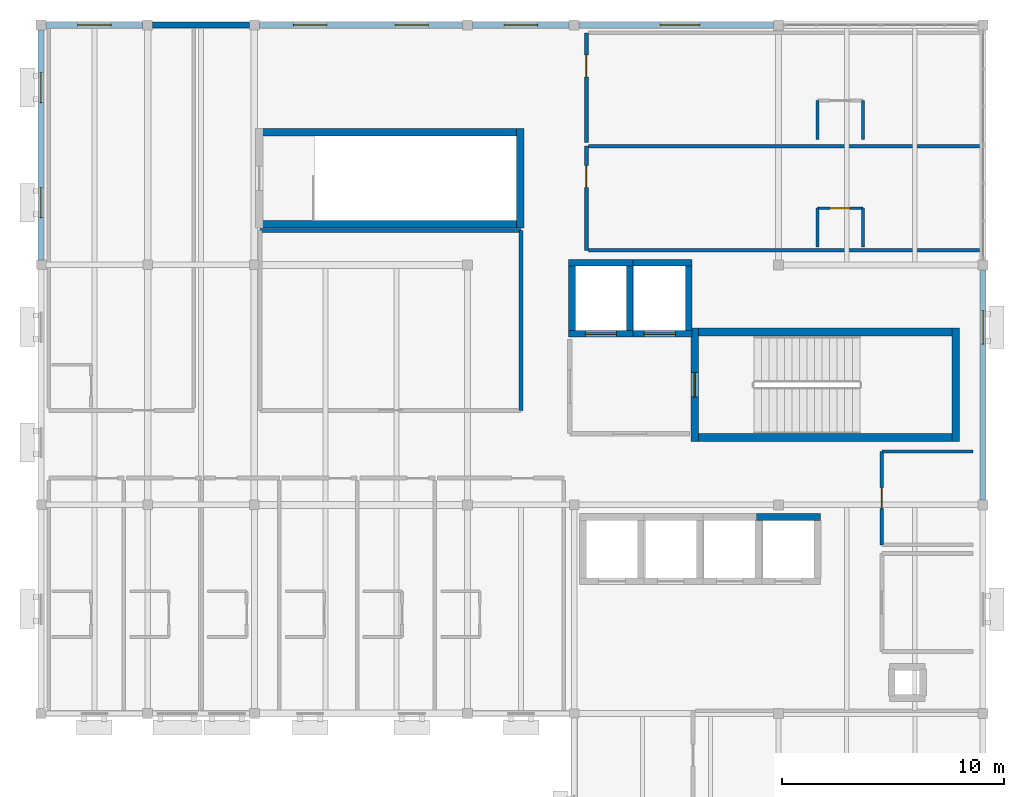
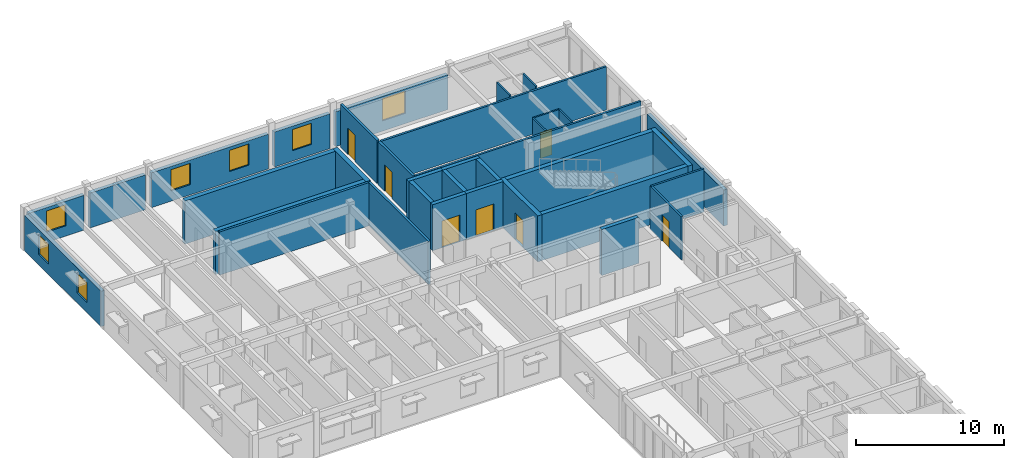
# One storey, part 11 of 17: 35 walls, 8 windows, 7 doors, 15 openings.
"""IFC4 building model written with IfcOpenShell, lengths in metres."""

from ifc_helpers import new_model, si_unit, direction, frame, frame_2d, origin, place, context, subcontext, project, spatial, rectangle, extrude, material, layer, layer_set, type_object, element, fill, save


model = new_model("IFC4")

# Units and contexts
model_context = context("Model", 3, precision=1e-05, world=origin(), true_north=direction((0.0, 1.0)))
body_context = subcontext(model_context, "Body", "Model", "MODEL_VIEW")
ifc_project = project(units=[si_unit("LENGTHUNIT", "METRE"), si_unit("AREAUNIT", "SQUARE_METRE"), si_unit("VOLUMEUNIT", "CUBIC_METRE"), si_unit("PLANEANGLEUNIT", "RADIAN"), si_unit("MASSUNIT", "GRAM", prefix="KILO")], contexts=[model_context])

# Site, building, storey
site_placement = place(None, origin())
site = spatial("IfcSite", under=ifc_project, at=site_placement, CompositionType="ELEMENT")
building_placement = place(site_placement, origin())
building = spatial("IfcBuilding", under=site, at=building_placement, Name="Veldera Park Congress Hotel", CompositionType="ELEMENT")
storey_placement = place(building_placement, frame((0.0, 0.0, 35.199951171875)))
storey = spatial("IfcBuildingStorey", under=building, at=storey_placement, Name="L08", CompositionType="ELEMENT", Elevation=35.199951171875)

# Wall, opening, window
ifc_material_1 = material(Name="Cross-laminated timber CLT V2M1.1", Category="wood")
ifc_layer_1 = layer(ifc_material_1, 0.280029296875)
ifc_layer_set_1 = layer_set([ifc_layer_1], Name="Cross-laminated timber CLT V2M1.1")
wall_type_1 = type_object("IfcWallType", Name="EW-CLT280", PredefinedType="STANDARD", material=ifc_layer_set_1)
wall_1_placement = place(storey_placement, frame((84.0, 36.623046875, 0.0), z_axis=(0.0, 0.0, 1.0), x_axis=(0.0, 1.0, 0.0)))
wall_1 = element("IfcWall", 1, at=wall_1_placement, inside=storey, type_object=wall_type_1, Name="L08 Exterior Wall EW3-L08-0379", PredefinedType="STANDARD", context=body_context, shape_type="SweptSolid", body=[
    extrude(rectangle(XDim=10.35400390625, YDim=0.280029296875, at=frame_2d((5.177001953125, 0.0))), origin(), (0.0, 0.0, 1.0), 2.97998046875),
])
opening_1_placement = place(wall_1_placement, frame((7.015380859375, 0.0, 0.85009765625)))
opening_1 = element("IfcOpeningElement", 2, at=opening_1_placement, cuts=wall_1, Name="Opening WIN-1500", PredefinedType="OPENING", context=body_context, shape_type="SweptSolid", body=[
    extrude(rectangle(XDim=1.5, YDim=1.75, at=frame_2d((0.75, 0.875))), frame((0.0, 0.152099609375, 0.0), z_axis=(0.0, -1.0, 0.0), x_axis=(1.0, 0.0, 0.0)), (0.0, 0.0, 1.0), 0.303955078125),
])
ifc_material_2 = material(Name="Low-E Triple Insulating Glass Unit (SHGC 0.22)", Category="glass")
window_type_1 = type_object("IfcWindowType", Name="WIN-1500", PartitioningType="SINGLE_PANEL", PredefinedType="WINDOW", material=ifc_material_2)
window_1_placement = place(opening_1_placement, origin())
window_1 = element("IfcWindow", 3, at=window_1_placement, inside=storey, type_object=window_type_1, Name="L08 Window WIN-1500 289", OverallHeight=1.75, OverallWidth=1.5, PartitioningType="SINGLE_PANEL", PredefinedType="WINDOW", context=body_context, shape_type="SweptSolid", body=[
    extrude(rectangle(XDim=1.5, YDim=1.75, at=frame_2d((0.75, 0.875))), frame((0.0, 0.030029296875, 0.0), z_axis=(0.0, -1.0, 0.0), x_axis=(1.0, 0.0, 0.0)), (0.0, 0.0, 1.0), 0.06005859375),
])
fill(opening_1, window_1)

wall_2_placement = place(storey_placement, frame((74.576904296875, 58.0, 0.0), z_axis=(0.0, 0.0, 1.0), x_axis=(-1.0, 0.0, 0.0)))
wall_2 = element("IfcWall", 4, at=wall_2_placement, inside=storey, type_object=wall_type_1, Name="L08 Exterior Wall EW3-L08-0380", PredefinedType="STANDARD", context=body_context, shape_type="SweptSolid", body=[
    extrude(rectangle(XDim=8.75390625, YDim=0.280029296875, at=frame_2d((4.376953125, 0.0))), origin(), (0.0, 0.0, 1.0), 2.880126953125),
])
opening_2_placement = place(wall_2_placement, frame((3.3134765625, 0.0, 0.85009765625)))
opening_2 = element("IfcOpeningElement", 5, at=opening_2_placement, cuts=wall_2, Name="Opening WIN-1800", PredefinedType="OPENING", context=body_context, shape_type="SweptSolid", body=[
    extrude(rectangle(XDim=1.800048828125, YDim=1.85009765625, at=frame_2d((0.89990234375, 0.925048828125))), frame((0.0, 0.152099609375, 0.0), z_axis=(0.0, -1.0, 0.0), x_axis=(1.0, 0.0, 0.0)), (0.0, 0.0, 1.0), 0.303955078125),
])
window_type_2 = type_object("IfcWindowType", Name="WIN-1800", PartitioningType="SINGLE_PANEL", PredefinedType="WINDOW", material=ifc_material_2)
window_2_placement = place(opening_2_placement, origin())
window_2 = element("IfcWindow", 6, at=window_2_placement, inside=storey, type_object=window_type_2, Name="L08 Window WIN-1800 562", OverallHeight=1.85009765625, OverallWidth=1.800048828125, PartitioningType="SINGLE_PANEL", PredefinedType="WINDOW", context=body_context, shape_type="SweptSolid", body=[
    extrude(rectangle(XDim=1.800048828125, YDim=1.85009765625, at=frame_2d((0.89990234375, 0.925048828125))), frame((0.0, 0.030029296875, 0.0), z_axis=(0.0, -1.0, 0.0), x_axis=(1.0, 0.0, 0.0)), (0.0, 0.0, 1.0), 0.06005859375),
])
fill(opening_2, window_2)

wall_3_placement = place(storey_placement, frame((65.376953125, 58.0, 0.0), z_axis=(0.0, 0.0, 1.0), x_axis=(-1.0, 0.0, 0.0)))
wall_3 = element("IfcWall", 7, at=wall_3_placement, inside=storey, type_object=wall_type_1, Name="L08 Exterior Wall EW3-L08-0381", PredefinedType="STANDARD", context=body_context, shape_type="SweptSolid", body=[
    extrude(rectangle(XDim=4.35400390625, YDim=0.280029296875, at=frame_2d((2.177001953125, 0.0))), origin(), (0.0, 0.0, 1.0), 2.880126953125),
])
opening_3_placement = place(wall_3_placement, frame((1.427001953125, 0.0, 0.85009765625)))
opening_3 = element("IfcOpeningElement", 8, at=opening_3_placement, cuts=wall_3, Name="Opening WIN-1500", PredefinedType="OPENING", context=body_context, shape_type="SweptSolid", body=[
    extrude(rectangle(XDim=1.5, YDim=1.75, at=frame_2d((0.75, 0.875))), frame((0.0, 0.152099609375, 0.0), z_axis=(0.0, -1.0, 0.0), x_axis=(1.0, 0.0, 0.0)), (0.0, 0.0, 1.0), 0.303955078125),
])
window_3_placement = place(opening_3_placement, origin())
window_3 = element("IfcWindow", 9, at=window_3_placement, inside=storey, type_object=window_type_1, Name="L08 Window WIN-1500 290", OverallHeight=1.75, OverallWidth=1.5, PartitioningType="SINGLE_PANEL", PredefinedType="WINDOW", context=body_context, shape_type="SweptSolid", body=[
    extrude(rectangle(XDim=1.5, YDim=1.75, at=frame_2d((0.75, 0.875))), frame((0.0, 0.030029296875, 0.0), z_axis=(0.0, -1.0, 0.0), x_axis=(1.0, 0.0, 0.0)), (0.0, 0.0, 1.0), 0.06005859375),
])
fill(opening_3, window_3)

# Wall, openings, windows
wall_4_placement = place(storey_placement, frame((60.576904296875, 58.0, 0.0), z_axis=(0.0, 0.0, 1.0), x_axis=(-1.0, 0.0, 0.0)))
wall_4 = element("IfcWall", 10, at=wall_4_placement, inside=storey, type_object=wall_type_1, Name="L08 Exterior Wall EW3-L08-0382", PredefinedType="STANDARD", context=body_context, shape_type="SweptSolid", body=[
    extrude(rectangle(XDim=9.15380859375, YDim=0.280029296875, at=frame_2d((4.576904296875, 0.0))), origin(), (0.0, 0.0, 1.0), 2.880126953125),
])
opening_4_placement = place(wall_4_placement, frame((1.53857421875, 0.0, 0.85009765625)))
opening_4 = element("IfcOpeningElement", 11, at=opening_4_placement, cuts=wall_4, Name="Opening WIN-1500", PredefinedType="OPENING", context=body_context, shape_type="SweptSolid", body=[
    extrude(rectangle(XDim=1.5, YDim=1.75, at=frame_2d((0.75, 0.875))), frame((0.0, 0.152099609375, 0.0), z_axis=(0.0, -1.0, 0.0), x_axis=(1.0, 0.0, 0.0)), (0.0, 0.0, 1.0), 0.303955078125),
])
opening_5_placement = place(wall_4_placement, frame((6.115478515625, 0.0, 0.85009765625)))
opening_5 = element("IfcOpeningElement", 12, at=opening_5_placement, cuts=wall_4, Name="Opening WIN-1500", PredefinedType="OPENING", context=body_context, shape_type="SweptSolid", body=[
    extrude(rectangle(XDim=1.5, YDim=1.75, at=frame_2d((0.75, 0.875))), frame((0.0, 0.152099609375, 0.0), z_axis=(0.0, -1.0, 0.0), x_axis=(1.0, 0.0, 0.0)), (0.0, 0.0, 1.0), 0.303955078125),
])
window_4_placement = place(opening_4_placement, origin())
window_4 = element("IfcWindow", 13, at=window_4_placement, inside=storey, type_object=window_type_1, Name="L08 Window WIN-1500 291", OverallHeight=1.75, OverallWidth=1.5, PartitioningType="SINGLE_PANEL", PredefinedType="WINDOW", context=body_context, shape_type="SweptSolid", body=[
    extrude(rectangle(XDim=1.5, YDim=1.75, at=frame_2d((0.75, 0.875))), frame((0.0, 0.030029296875, 0.0), z_axis=(0.0, -1.0, 0.0), x_axis=(1.0, 0.0, 0.0)), (0.0, 0.0, 1.0), 0.06005859375),
])
fill(opening_4, window_4)
window_5_placement = place(opening_5_placement, origin())
window_5 = element("IfcWindow", 14, at=window_5_placement, inside=storey, type_object=window_type_1, Name="L08 Window WIN-1500 292", OverallHeight=1.75, OverallWidth=1.5, PartitioningType="SINGLE_PANEL", PredefinedType="WINDOW", context=body_context, shape_type="SweptSolid", body=[
    extrude(rectangle(XDim=1.5, YDim=1.75, at=frame_2d((0.75, 0.875))), frame((0.0, 0.030029296875, 0.0), z_axis=(0.0, -1.0, 0.0), x_axis=(1.0, 0.0, 0.0)), (0.0, 0.0, 1.0), 0.06005859375),
])
fill(opening_5, window_5)

# Wall
wall_5_placement = place(storey_placement, frame((50.97705078125, 58.0, 0.0), z_axis=(0.0, 0.0, 1.0), x_axis=(-1.0, 0.0, 0.0)))
element("IfcWall", 15, at=wall_5_placement, inside=storey, type_object=wall_type_1, Name="L08 Exterior Wall EW3-L08-0383", PredefinedType="STANDARD", context=body_context, shape_type="SweptSolid", body=[
    extrude(rectangle(XDim=4.35400390625, YDim=0.280029296875, at=frame_2d((2.177001953125, 0.0))), origin(), (0.0, 0.0, 1.0), 2.880126953125),
])

# Wall, opening, window
wall_6_placement = place(storey_placement, frame((46.177001953125, 58.0, 0.0), z_axis=(0.0, 0.0, 1.0), x_axis=(-1.0, 0.0, 0.0)))
wall_6 = element("IfcWall", 16, at=wall_6_placement, inside=storey, type_object=wall_type_1, Name="L08 Exterior Wall EW3-L08-0384", PredefinedType="STANDARD", context=body_context, shape_type="SweptSolid", body=[
    extrude(rectangle(XDim=4.35400390625, YDim=0.280029296875, at=frame_2d((2.177001953125, 0.0))), origin(), (0.0, 0.0, 1.0), 2.880126953125),
])
opening_6_placement = place(wall_6_placement, frame((1.427001953125, 0.0, 0.85009765625)))
opening_6 = element("IfcOpeningElement", 17, at=opening_6_placement, cuts=wall_6, Name="Opening WIN-1500", PredefinedType="OPENING", context=body_context, shape_type="SweptSolid", body=[
    extrude(rectangle(XDim=1.5, YDim=1.75, at=frame_2d((0.75, 0.875))), frame((0.0, 0.152099609375, 0.0), z_axis=(0.0, -1.0, 0.0), x_axis=(1.0, 0.0, 0.0)), (0.0, 0.0, 1.0), 0.303955078125),
])
window_6_placement = place(opening_6_placement, origin())
window_6 = element("IfcWindow", 18, at=window_6_placement, inside=storey, type_object=window_type_1, Name="L08 Window WIN-1500 293", OverallHeight=1.75, OverallWidth=1.5, PartitioningType="SINGLE_PANEL", PredefinedType="WINDOW", context=body_context, shape_type="SweptSolid", body=[
    extrude(rectangle(XDim=1.5, YDim=1.75, at=frame_2d((0.75, 0.875))), frame((0.0, 0.030029296875, 0.0), z_axis=(0.0, -1.0, 0.0), x_axis=(1.0, 0.0, 0.0)), (0.0, 0.0, 1.0), 0.06005859375),
])
fill(opening_6, window_6)

# Wall, openings, windows
wall_7_placement = place(storey_placement, frame((41.60009765625, 57.777099609375, 0.0), z_axis=(0.0, 0.0, 1.0), x_axis=(0.0, -1.0, 0.0)))
wall_7 = element("IfcWall", 19, at=wall_7_placement, inside=storey, type_object=wall_type_1, Name="L08 Exterior Wall EW3-L08-0385", PredefinedType="STANDARD", context=body_context, shape_type="SweptSolid", body=[
    extrude(rectangle(XDim=10.369140625, YDim=0.280029296875, at=frame_2d((5.1845703125, 0.0))), origin(), (0.0, 0.0, 1.0), 2.920166015625),
])
opening_7_placement = place(wall_7_placement, frame((1.917236328125, 0.0, 0.85009765625)))
opening_7 = element("IfcOpeningElement", 20, at=opening_7_placement, cuts=wall_7, Name="Opening WIN-1350", PredefinedType="OPENING", context=body_context, shape_type="SweptSolid", body=[
    extrude(rectangle(XDim=1.35009765625, YDim=1.64990234375, at=frame_2d((0.675048828125, 0.824951171875))), frame((0.0, 0.152099609375, 0.0), z_axis=(0.0, -1.0, 0.0), x_axis=(1.0, 0.0, 0.0)), (0.0, 0.0, 1.0), 0.303955078125),
])
opening_8_placement = place(wall_7_placement, frame((7.101806640625, 0.0, 0.85009765625)))
opening_8 = element("IfcOpeningElement", 21, at=opening_8_placement, cuts=wall_7, Name="Opening WIN-1350", PredefinedType="OPENING", context=body_context, shape_type="SweptSolid", body=[
    extrude(rectangle(XDim=1.35009765625, YDim=1.64990234375, at=frame_2d((0.675048828125, 0.824951171875))), frame((0.0, 0.152099609375, 0.0), z_axis=(0.0, -1.0, 0.0), x_axis=(1.0, 0.0, 0.0)), (0.0, 0.0, 1.0), 0.303955078125),
])
window_type_3 = type_object("IfcWindowType", Name="WIN-1350", PartitioningType="SINGLE_PANEL", PredefinedType="WINDOW", material=ifc_material_2)
window_7_placement = place(opening_7_placement, origin())
window_7 = element("IfcWindow", 22, at=window_7_placement, inside=storey, type_object=window_type_3, Name="L08 Window WIN-1350 294", OverallHeight=1.64990234375, OverallWidth=1.35009765625, PartitioningType="SINGLE_PANEL", PredefinedType="WINDOW", context=body_context, shape_type="SweptSolid", body=[
    extrude(rectangle(XDim=1.35009765625, YDim=1.64990234375, at=frame_2d((0.675048828125, 0.824951171875))), frame((0.0, 0.030029296875, 0.0), z_axis=(0.0, -1.0, 0.0), x_axis=(1.0, 0.0, 0.0)), (0.0, 0.0, 1.0), 0.06005859375),
])
fill(opening_7, window_7)
window_8_placement = place(opening_8_placement, origin())
window_8 = element("IfcWindow", 23, at=window_8_placement, inside=storey, type_object=window_type_3, Name="L08 Window WIN-1350 295", OverallHeight=1.64990234375, OverallWidth=1.35009765625, PartitioningType="SINGLE_PANEL", PredefinedType="WINDOW", context=body_context, shape_type="SweptSolid", body=[
    extrude(rectangle(XDim=1.35009765625, YDim=1.64990234375, at=frame_2d((0.675048828125, 0.824951171875))), frame((0.0, 0.030029296875, 0.0), z_axis=(0.0, -1.0, 0.0), x_axis=(1.0, 0.0, 0.0)), (0.0, 0.0, 1.0), 0.06005859375),
])
fill(opening_8, window_8)

# Walls
ifc_material_3 = material(Name="Fire-Rated Gypsum Board on Cold-Formed Steel Studs", Category="steel")
ifc_layer_2 = layer(ifc_material_3, 0.1201171875)
ifc_layer_set_2 = layer_set([ifc_layer_2], Name="Fire-Rated Gypsum Board on Cold-Formed Steel Studs")
wall_type_2 = type_object("IfcWallType", Name="IW-BATH120", PredefinedType="PARTITIONING", material=ifc_layer_set_2)
for number, where, z_axis, x_axis, name in (
    (24, (76.550048828125, 48.0, 0.0), (0.0, 0.0, 1.0), (0.0, 1.0, 0.0), "L08 Partition Wall IW3-L08-01569"),
    (25, (78.60009765625, 48.0, 0.0), (0.0, 0.0, 1.0), (0.0, 1.0, 0.0), "L08 Partition Wall IW3-L08-01570"),
):
    element("IfcWall", number, at=place(storey_placement, frame(where, z_axis=z_axis, x_axis=x_axis)), inside=storey, type_object=wall_type_2, Name=name, PredefinedType="PARTITIONING", context=body_context, shape_type="SweptSolid", body=[
        extrude(rectangle(XDim=1.75, YDim=0.1201171875, at=frame_2d((0.875, 0.0))), origin(), (0.0, 0.0, 1.0), 3.56494140625),
    ])

# Wall, opening, door
wall_8_placement = place(storey_placement, frame((76.550048828125, 49.75, 0.0), z_axis=(0.0, 0.0, 1.0), x_axis=(1.0, 0.0, 0.0)))
wall_8 = element("IfcWall", 26, at=wall_8_placement, inside=storey, type_object=wall_type_2, Name="L08 Partition Wall IW3-L08-01571", PredefinedType="PARTITIONING", context=body_context, shape_type="SweptSolid", body=[
    extrude(rectangle(XDim=2.050048828125, YDim=0.1201171875, at=frame_2d((1.02490234375, 0.0))), origin(), (0.0, 0.0, 1.0), 3.56494140625),
])
opening_9_placement = place(wall_8_placement, frame((0.574951171875, 0.0, 0.0)))
opening_9 = element("IfcOpeningElement", 27, at=opening_9_placement, cuts=wall_8, Name="Opening ID-BATH090", PredefinedType="OPENING", context=body_context, shape_type="SweptSolid", body=[
    extrude(rectangle(XDim=0.89990234375, YDim=2.14990234375, at=frame_2d((0.449951171875, 1.074951171875))), frame((0.0, 0.072021484375, 0.0), z_axis=(0.0, -1.0, 0.0), x_axis=(1.0, 0.0, 0.0)), (0.0, 0.0, 1.0), 0.14404296875),
])
ifc_material_4 = material(Name="Solid Core White Oak Architectural Door", Category="wood")
door_type_1 = type_object("IfcDoorType", Name="ID-BATH090", OperationType="NOTDEFINED", PredefinedType="DOOR", material=ifc_material_4)
door_1_placement = place(opening_9_placement, origin())
door_1 = element("IfcDoor", 28, at=door_1_placement, inside=storey, type_object=door_type_1, Name="L08 En-suite 254 Door ID3-L08-0647 (DR3-ID3-L08-0647)", OperationType="SINGLE_SWING_LEFT", OverallHeight=2.14990234375, OverallWidth=0.89990234375, PredefinedType="DOOR", context=body_context, shape_type="SweptSolid", body=[
    extrude(rectangle(XDim=0.89990234375, YDim=2.14990234375, at=frame_2d((0.449951171875, 1.074951171875))), frame((0.0, 0.02490234375, 0.0), z_axis=(0.0, -1.0, 0.0), x_axis=(1.0, 0.0, 0.0)), (0.0, 0.0, 1.0), 0.050048828125),
])
fill(opening_9, door_1)

# Walls
for number, where, z_axis, x_axis, name in (
    (29, (76.550048828125, 52.85009765625, 0.0), (0.0, 0.0, 1.0), (0.0, 1.0, 0.0), "L08 Partition Wall IW3-L08-01574"),
    (30, (78.60009765625, 52.85009765625, 0.0), (0.0, 0.0, 1.0), (0.0, 1.0, 0.0), "L08 Partition Wall IW3-L08-01575"),
):
    element("IfcWall", number, at=place(storey_placement, frame(where, z_axis=z_axis, x_axis=x_axis)), inside=storey, type_object=wall_type_2, Name=name, PredefinedType="PARTITIONING", context=body_context, shape_type="SweptSolid", body=[
        extrude(rectangle(XDim=1.75, YDim=0.1201171875, at=frame_2d((0.875, 0.0))), origin(), (0.0, 0.0, 1.0), 3.56494140625),
    ])
ifc_layer_3 = layer(ifc_material_3, 0.179931640625)
ifc_layer_set_3 = layer_set([ifc_layer_3], Name="Fire-Rated Gypsum Board on Cold-Formed Steel Studs")
wall_type_3 = type_object("IfcWallType", Name="IW-CORR180", PredefinedType="PARTITIONING", material=ifc_layer_set_3)
wall_9_placement = place(storey_placement, frame((63.199951171875, 40.64990234375, 0.0), z_axis=(0.0, 0.0, 1.0), x_axis=(0.0, 1.0, 0.0)))
element("IfcWall", 31, at=wall_9_placement, inside=storey, type_object=wall_type_3, Name="L08 Partition Wall IW3-L08-00314", PredefinedType="PARTITIONING", context=body_context, shape_type="SweptSolid", body=[
    extrude(rectangle(XDim=8.10009765625, YDim=0.179931640625, at=frame_2d((4.050048828125, 0.0))), origin(), (0.0, 0.0, 1.0), 3.56494140625),
])
wall_10_placement = place(storey_placement, frame((63.199951171875, 48.75, 0.0), z_axis=(0.0, 0.0, 1.0), x_axis=(-1.0, 0.0, 0.0)))
element("IfcWall", 32, at=wall_10_placement, inside=storey, type_object=wall_type_3, Name="L08 Partition Wall IW3-L08-00315", PredefinedType="PARTITIONING", context=body_context, shape_type="SweptSolid", body=[
    extrude(rectangle(XDim=11.75, YDim=0.179931640625, at=frame_2d((5.875, 0.0))), origin(), (0.0, 0.0, 1.0), 3.56494140625),
])

# Wall, opening, door
wall_11_placement = place(storey_placement, frame((66.14990234375, 52.550048828125, 0.0), z_axis=(0.0, 0.0, 1.0), x_axis=(0.0, -1.0, 0.0)))
wall_11 = element("IfcWall", 33, at=wall_11_placement, inside=storey, type_object=wall_type_3, Name="L08 Corridor Wall IW3-L08-01566", PredefinedType="PARTITIONING", context=body_context, shape_type="SweptSolid", body=[
    extrude(rectangle(XDim=4.699951171875, YDim=0.179931640625, at=frame_2d((2.35009765625, 0.0))), origin(), (0.0, 0.0, 1.0), 3.56494140625),
])
opening_10_placement = place(wall_11_placement, frame((0.8798828125, 0.0, 0.0)))
opening_10 = element("IfcOpeningElement", 34, at=opening_10_placement, cuts=wall_11, Name="Opening ID-UNIT098", PredefinedType="OPENING", context=body_context, shape_type="SweptSolid", body=[
    extrude(rectangle(XDim=0.97998046875, YDim=2.179931640625, at=frame_2d((0.489990234375, 1.08984375))), frame((0.0, 0.10205078125, 0.0), z_axis=(0.0, -1.0, 0.0), x_axis=(1.0, 0.0, 0.0)), (0.0, 0.0, 1.0), 0.203857421875),
])
door_type_2 = type_object("IfcDoorType", Name="ID-UNIT098", OperationType="NOTDEFINED", PredefinedType="DOOR", material=ifc_material_4)
door_2_placement = place(opening_10_placement, origin())
door_2 = element("IfcDoor", 35, at=door_2_placement, inside=storey, type_object=door_type_2, Name="L08 Guestroom 254 Entry Door (DR3-UD3-L08-254)", OperationType="SINGLE_SWING_RIGHT", OverallHeight=2.179931640625, OverallWidth=0.97998046875, PredefinedType="DOOR", context=body_context, shape_type="SweptSolid", body=[
    extrude(rectangle(XDim=0.97998046875, YDim=2.179931640625, at=frame_2d((0.489990234375, 1.08984375))), frame((0.0, 0.02490234375, 0.0), z_axis=(0.0, -1.0, 0.0), x_axis=(1.0, 0.0, 0.0)), (0.0, 0.0, 1.0), 0.050048828125),
])
fill(opening_10, door_2)

wall_12_placement = place(storey_placement, frame((66.14990234375, 57.64990234375, 0.0), z_axis=(0.0, 0.0, 1.0), x_axis=(0.0, -1.0, 0.0)))
wall_12 = element("IfcWall", 36, at=wall_12_placement, inside=storey, type_object=wall_type_3, Name="L08 Corridor Wall IW3-L08-01572", PredefinedType="PARTITIONING", context=body_context, shape_type="SweptSolid", body=[
    extrude(rectangle(XDim=4.949951171875, YDim=0.179931640625, at=frame_2d((2.47509765625, 0.0))), origin(), (0.0, 0.0, 1.0), 3.56494140625),
])
opening_11_placement = place(wall_12_placement, frame((1.0048828125, 0.0, 0.0)))
opening_11 = element("IfcOpeningElement", 37, at=opening_11_placement, cuts=wall_12, Name="Opening ID-UNIT098", PredefinedType="OPENING", context=body_context, shape_type="SweptSolid", body=[
    extrude(rectangle(XDim=0.97998046875, YDim=2.179931640625, at=frame_2d((0.489990234375, 1.08984375))), frame((0.0, 0.10205078125, 0.0), z_axis=(0.0, -1.0, 0.0), x_axis=(1.0, 0.0, 0.0)), (0.0, 0.0, 1.0), 0.203857421875),
])
door_3_placement = place(opening_11_placement, origin())
door_3 = element("IfcDoor", 38, at=door_3_placement, inside=storey, type_object=door_type_2, Name="L08 Guestroom 255 Entry Door (DR3-UD3-L08-255)", OperationType="SINGLE_SWING_RIGHT", OverallHeight=2.179931640625, OverallWidth=0.97998046875, PredefinedType="DOOR", context=body_context, shape_type="SweptSolid", body=[
    extrude(rectangle(XDim=0.97998046875, YDim=2.179931640625, at=frame_2d((0.489990234375, 1.08984375))), frame((0.0, 0.02490234375, 0.0), z_axis=(0.0, -1.0, 0.0), x_axis=(1.0, 0.0, 0.0)), (0.0, 0.0, 1.0), 0.050048828125),
])
fill(opening_11, door_3)

# Wall
ifc_layer_4 = layer(ifc_material_3, 0.14990234375)
ifc_layer_set_4 = layer_set([ifc_layer_4], Name="Fire-Rated Gypsum Board on Cold-Formed Steel Studs")
wall_type_4 = type_object("IfcWallType", Name="IW-PLMB150", PredefinedType="PLUMBINGWALL", material=ifc_layer_set_4)
wall_13_placement = place(storey_placement, frame((83.550048828125, 38.800048828125, 0.0), z_axis=(0.0, 0.0, 1.0), x_axis=(-1.0, 0.0, 0.0)))
element("IfcWall", 39, at=wall_13_placement, inside=storey, type_object=wall_type_4, Name="L08 Partition Wall IW3-L08-00311", PredefinedType="PLUMBINGWALL", context=body_context, shape_type="SweptSolid", body=[
    extrude(rectangle(XDim=4.10009765625, YDim=0.14990234375, at=frame_2d((2.050048828125, 0.0))), origin(), (0.0, 0.0, 1.0), 3.56494140625),
])

# Wall, opening, door
wall_14_placement = place(storey_placement, frame((79.449951171875, 38.800048828125, 0.0), z_axis=(0.0, 0.0, 1.0), x_axis=(0.0, -1.0, 0.0)))
wall_14 = element("IfcWall", 40, at=wall_14_placement, inside=storey, type_object=wall_type_4, Name="L08 Partition Wall IW3-L08-00312", PredefinedType="PLUMBINGWALL", context=body_context, shape_type="SweptSolid", body=[
    extrude(rectangle(XDim=4.199951171875, YDim=0.14990234375, at=frame_2d((2.10009765625, 0.0))), origin(), (0.0, 0.0, 1.0), 3.56494140625),
])
opening_12_placement = place(wall_14_placement, frame((1.625, 0.0, 0.0)))
opening_12 = element("IfcOpeningElement", 41, at=opening_12_placement, cuts=wall_14, Name="Opening ID-WC095", PredefinedType="OPENING", context=body_context, shape_type="SweptSolid", body=[
    extrude(rectangle(XDim=0.949951171875, YDim=2.14990234375, at=frame_2d((0.47509765625, 1.074951171875))), frame((0.0, 0.0869140625, 0.0), z_axis=(0.0, -1.0, 0.0), x_axis=(1.0, 0.0, 0.0)), (0.0, 0.0, 1.0), 0.173828125),
])
door_type_3 = type_object("IfcDoorType", Name="ID-WC095", OperationType="NOTDEFINED", PredefinedType="DOOR", material=ifc_material_4)
door_4_placement = place(opening_12_placement, origin())
door_4 = element("IfcDoor", 42, at=door_4_placement, inside=storey, type_object=door_type_3, Name="L08 L08 Public Accessible WC Door ID3-L08-0116 (DR3-ID3-L08-0116)", OperationType="SINGLE_SWING_LEFT", OverallHeight=2.14990234375, OverallWidth=0.949951171875, PredefinedType="DOOR", context=body_context, shape_type="SweptSolid", body=[
    extrude(rectangle(XDim=0.949951171875, YDim=2.14990234375, at=frame_2d((0.47509765625, 1.074951171875))), frame((0.0, 0.02490234375, 0.0), z_axis=(0.0, -1.0, 0.0), x_axis=(1.0, 0.0, 0.0)), (0.0, 0.0, 1.0), 0.050048828125),
])
fill(opening_12, door_4)

# Walls
ifc_layer_5 = layer(ifc_material_1, 0.159912109375)
ifc_layer_set_5 = layer_set([ifc_layer_5], Name="Cross-laminated timber CLT V2M1.1")
wall_type_5 = type_object("IfcWallType", Name="IW-UNIT160", PredefinedType="PARTITIONING", material=ifc_layer_set_5)
for number, where, z_axis, x_axis, name in (
    (43, (66.25, 47.85009765625, 0.0), (0.0, 0.0, 1.0), (1.0, 0.0, 0.0), "L08 Partition Wall IW3-L08-01567"),
    (44, (66.25, 52.550048828125, 0.0), (0.0, 0.0, 1.0), (1.0, 0.0, 0.0), "L08 Partition Wall IW3-L08-01568"),
):
    element("IfcWall", number, at=place(storey_placement, frame(where, z_axis=z_axis, x_axis=x_axis)), inside=storey, type_object=wall_type_5, Name=name, PredefinedType="PARTITIONING", context=body_context, shape_type="SweptSolid", body=[
        extrude(rectangle(XDim=17.590087890625, YDim=0.159912109375, at=frame_2d((8.794921875, 0.0))), origin(), (0.0, 0.0, 1.0), 3.56494140625),
    ])
ifc_material_5 = material(Name="Concrete f'c 40 MPa (5,800 psi)", Category="concrete")
ifc_layer_6 = layer(ifc_material_5, 0.35009765625)
ifc_layer_set_6 = layer_set([ifc_layer_6], Name="Concrete f'c 40 MPa (5,800 psi)")
wall_type_6 = type_object("IfcWallType", Name="SW-CORE350", PredefinedType="SHEAR", material=ifc_layer_set_6)
wall_15_placement = place(storey_placement, frame((70.85009765625, 39.425048828125, 0.0), z_axis=(0.0, 0.0, 1.0), x_axis=(1.0, 0.0, 0.0)))
element("IfcWall", 45, at=wall_15_placement, inside=storey, type_object=wall_type_6, Name="Stair ST1 Core Wall L08-S", PredefinedType="SHEAR", context=body_context, shape_type="SweptSolid", body=[
    extrude(rectangle(XDim=12.099853515625, YDim=0.35009765625, at=frame_2d((6.0498046875, 0.0))), origin(), (0.0, 0.0, 1.0), 3.800048828125),
])
wall_16_placement = place(storey_placement, frame((82.77490234375, 39.25, 0.0), z_axis=(0.0, 0.0, 1.0), x_axis=(0.0, 1.0, 0.0)))
element("IfcWall", 46, at=wall_16_placement, inside=storey, type_object=wall_type_6, Name="Stair ST1 Core Wall L08-E", PredefinedType="SHEAR", context=body_context, shape_type="SweptSolid", body=[
    extrude(rectangle(XDim=5.10009765625, YDim=0.35009765625, at=frame_2d((2.550048828125, 0.0))), origin(), (0.0, 0.0, 1.0), 3.800048828125),
])
wall_17_placement = place(storey_placement, frame((82.949951171875, 44.175048828125, 0.0), z_axis=(0.0, 0.0, 1.0), x_axis=(-1.0, 0.0, 0.0)))
element("IfcWall", 47, at=wall_17_placement, inside=storey, type_object=wall_type_6, Name="Stair ST1 Core Wall L08-N", PredefinedType="SHEAR", context=body_context, shape_type="SweptSolid", body=[
    extrude(rectangle(XDim=12.099853515625, YDim=0.35009765625, at=frame_2d((6.0498046875, 0.0))), origin(), (0.0, 0.0, 1.0), 3.800048828125),
])

# Wall, opening, door
wall_18_placement = place(storey_placement, frame((71.02490234375, 44.35009765625, 0.0), z_axis=(0.0, 0.0, 1.0), x_axis=(0.0, -1.0, 0.0)))
wall_18 = element("IfcWall", 48, at=wall_18_placement, inside=storey, type_object=wall_type_6, Name="Stair ST1 Core Wall L08-W", PredefinedType="SHEAR", context=body_context, shape_type="SweptSolid", body=[
    extrude(rectangle(XDim=5.10009765625, YDim=0.35009765625, at=frame_2d((2.550048828125, 0.0))), origin(), (0.0, 0.0, 1.0), 3.800048828125),
])
opening_13_placement = place(wall_18_placement, frame((2.0, 0.0, 0.0)))
opening_13 = element("IfcOpeningElement", 49, at=opening_13_placement, cuts=wall_18, Name="Opening ID-STAIR110", PredefinedType="OPENING", context=body_context, shape_type="SweptSolid", body=[
    extrude(rectangle(XDim=1.10009765625, YDim=2.199951171875, at=frame_2d((0.550048828125, 1.10009765625))), frame((0.0, 0.18701171875, 0.0), z_axis=(0.0, -1.0, 0.0), x_axis=(1.0, 0.0, 0.0)), (0.0, 0.0, 1.0), 0.3740234375),
])
ifc_material_6 = material(Name="Hollow Metal Fire-Rated Steel Door", Category="steel")
door_type_4 = type_object("IfcDoorType", Name="ID-STAIR110", OperationType="NOTDEFINED", PredefinedType="DOOR", material=ifc_material_6)
door_5_placement = place(opening_13_placement, origin())
door_5 = element("IfcDoor", 50, at=door_5_placement, inside=storey, type_object=door_type_4, Name="L08 Stair ST1 Fire Door (DR3-SD-ST1-L08)", OperationType="SINGLE_SWING_RIGHT", OverallHeight=2.199951171875, OverallWidth=1.10009765625, PredefinedType="DOOR", context=body_context, shape_type="SweptSolid", body=[
    extrude(rectangle(XDim=1.10009765625, YDim=2.199951171875, at=frame_2d((0.550048828125, 1.10009765625))), frame((0.0, 0.02490234375, 0.0), z_axis=(0.0, -1.0, 0.0), x_axis=(1.0, 0.0, 0.0)), (0.0, 0.0, 1.0), 0.050048828125),
])
fill(opening_13, door_5)

# Walls
wall_19_placement = place(storey_placement, frame((51.25, 49.02490234375, 0.0), z_axis=(0.0, 0.0, 1.0), x_axis=(1.0, 0.0, 0.0)))
element("IfcWall", 51, at=wall_19_placement, inside=storey, type_object=wall_type_6, Name="Stair ST3 Core Wall L08-S", PredefinedType="SHEAR", context=body_context, shape_type="SweptSolid", body=[
    extrude(rectangle(XDim=12.10009765625, YDim=0.35009765625, at=frame_2d((6.050048828125, 0.0))), origin(), (0.0, 0.0, 1.0), 3.56494140625),
])
wall_20_placement = place(storey_placement, frame((63.175048828125, 48.85009765625, 0.0), z_axis=(0.0, 0.0, 1.0), x_axis=(0.0, 1.0, 0.0)))
element("IfcWall", 52, at=wall_20_placement, inside=storey, type_object=wall_type_6, Name="Stair ST3 Core Wall L08-E", PredefinedType="SHEAR", context=body_context, shape_type="SweptSolid", body=[
    extrude(rectangle(XDim=4.5, YDim=0.35009765625, at=frame_2d((2.25, 0.0))), origin(), (0.0, 0.0, 1.0), 3.56494140625),
])
wall_21_placement = place(storey_placement, frame((63.35009765625, 53.175048828125, 0.0), z_axis=(0.0, 0.0, 1.0), x_axis=(-1.0, 0.0, 0.0)))
element("IfcWall", 53, at=wall_21_placement, inside=storey, type_object=wall_type_6, Name="Stair ST3 Core Wall L08-N", PredefinedType="SHEAR", context=body_context, shape_type="SweptSolid", body=[
    extrude(rectangle(XDim=12.10009765625, YDim=0.35009765625, at=frame_2d((6.050048828125, 0.0))), origin(), (0.0, 0.0, 1.0), 3.56494140625),
])

# Wall, opening, door
ifc_layer_7 = layer(ifc_material_5, 0.300048828125)
ifc_layer_set_7 = layer_set([ifc_layer_7], Name="Concrete f'c 40 MPa (5,800 psi)")
wall_type_7 = type_object("IfcWallType", Name="SW-SHFT300", PredefinedType="SHEAR", material=ifc_layer_set_7)
wall_22_placement = place(storey_placement, frame((65.35009765625, 44.10009765625, 0.0), z_axis=(0.0, 0.0, 1.0), x_axis=(1.0, 0.0, 0.0)))
wall_22 = element("IfcWall", 54, at=wall_22_placement, inside=storey, type_object=wall_type_7, Name="Lift FL-01 Shaft Wall L08-S", PredefinedType="SHEAR", context=body_context, shape_type="SweptSolid", body=[
    extrude(rectangle(XDim=2.89990234375, YDim=0.300048828125, at=frame_2d((1.449951171875, 0.0))), origin(), (0.0, 0.0, 1.0), 3.800048828125),
])
opening_14_placement = place(wall_22_placement, frame((0.75, 0.0, 0.0)))
opening_14 = element("IfcOpeningElement", 55, at=opening_14_placement, cuts=wall_22, Name="Opening LD-140", PredefinedType="OPENING", context=body_context, shape_type="SweptSolid", body=[
    extrude(rectangle(XDim=1.39990234375, YDim=2.199951171875, at=frame_2d((0.699951171875, 1.10009765625))), frame((0.0, 0.162109375, 0.0), z_axis=(0.0, -1.0, 0.0), x_axis=(1.0, 0.0, 0.0)), (0.0, 0.0, 1.0), 0.323974609375),
])
door_type_5 = type_object("IfcDoorType", Name="LD-140", OperationType="DOUBLE_DOOR_SLIDING", PredefinedType="DOOR", material=ifc_material_6)
door_6_placement = place(opening_14_placement, origin())
door_6 = element("IfcDoor", 56, at=door_6_placement, inside=storey, type_object=door_type_5, Name="L08 Lift FL-01 Landing Door (DR3-LD-FL-01-L08)", OperationType="DOUBLE_DOOR_SLIDING", OverallHeight=2.199951171875, OverallWidth=1.39990234375, PredefinedType="DOOR", context=body_context, shape_type="SweptSolid", body=[
    extrude(rectangle(XDim=1.39990234375, YDim=2.199951171875, at=frame_2d((0.699951171875, 1.10009765625))), frame((0.0, 0.02490234375, 0.0), z_axis=(0.0, -1.0, 0.0), x_axis=(1.0, 0.0, 0.0)), (0.0, 0.0, 1.0), 0.050048828125),
])
fill(opening_14, door_6)

# Walls
for number, where, z_axis, x_axis, name in (
    (57, (68.25, 47.300048828125, 0.0), (0.0, 0.0, 1.0), (-1.0, 0.0, 0.0), "Lift FL-01 Shaft Wall L08-N"),
    (58, (68.10009765625, 44.25, 0.0), (0.0, 0.0, 1.0), (0.0, 1.0, 0.0), "Lift FL-01 Shaft Wall L08-E"),
    (59, (65.5, 47.14990234375, 0.0), (0.0, 0.0, 1.0), (0.0, -1.0, 0.0), "Lift FL-01 Shaft Wall L08-W"),
):
    element("IfcWall", number, at=place(storey_placement, frame(where, z_axis=z_axis, x_axis=x_axis)), inside=storey, type_object=wall_type_7, Name=name, PredefinedType="SHEAR", context=body_context, shape_type="SweptSolid", body=[
        extrude(rectangle(XDim=2.89990234375, YDim=0.300048828125, at=frame_2d((1.449951171875, 0.0))), origin(), (0.0, 0.0, 1.0), 3.800048828125),
    ])

# Wall, opening, door
wall_23_placement = place(storey_placement, frame((68.0, 44.10009765625, 0.0), z_axis=(0.0, 0.0, 1.0), x_axis=(1.0, 0.0, 0.0)))
wall_23 = element("IfcWall", 60, at=wall_23_placement, inside=storey, type_object=wall_type_7, Name="Lift FL-02 Shaft Wall L08-S", PredefinedType="SHEAR", context=body_context, shape_type="SweptSolid", body=[
    extrude(rectangle(XDim=2.89990234375, YDim=0.300048828125, at=frame_2d((1.449951171875, 0.0))), origin(), (0.0, 0.0, 1.0), 3.800048828125),
])
opening_15_placement = place(wall_23_placement, frame((0.75, 0.0, 0.0)))
opening_15 = element("IfcOpeningElement", 61, at=opening_15_placement, cuts=wall_23, Name="Opening LD-140", PredefinedType="OPENING", context=body_context, shape_type="SweptSolid", body=[
    extrude(rectangle(XDim=1.39990234375, YDim=2.199951171875, at=frame_2d((0.699951171875, 1.10009765625))), frame((0.0, 0.162109375, 0.0), z_axis=(0.0, -1.0, 0.0), x_axis=(1.0, 0.0, 0.0)), (0.0, 0.0, 1.0), 0.323974609375),
])
door_7_placement = place(opening_15_placement, origin())
door_7 = element("IfcDoor", 62, at=door_7_placement, inside=storey, type_object=door_type_5, Name="L08 Lift FL-02 Landing Door (DR3-LD-FL-02-L08)", OperationType="DOUBLE_DOOR_SLIDING", OverallHeight=2.199951171875, OverallWidth=1.39990234375, PredefinedType="DOOR", context=body_context, shape_type="SweptSolid", body=[
    extrude(rectangle(XDim=1.39990234375, YDim=2.199951171875, at=frame_2d((0.699951171875, 1.10009765625))), frame((0.0, 0.02490234375, 0.0), z_axis=(0.0, -1.0, 0.0), x_axis=(1.0, 0.0, 0.0)), (0.0, 0.0, 1.0), 0.050048828125),
])
fill(opening_15, door_7)

# Walls
for number, where, z_axis, x_axis, name in (
    (63, (70.89990234375, 47.300048828125, 0.0), (0.0, 0.0, 1.0), (-1.0, 0.0, 0.0), "Lift FL-02 Shaft Wall L08-N"),
    (64, (70.75, 44.25, 0.0), (0.0, 0.0, 1.0), (0.0, 1.0, 0.0), "Lift FL-02 Shaft Wall L08-E"),
    (65, (76.699951171875, 35.85009765625, 0.0), (0.0, 0.0, 1.0), (-1.0, 0.0, 0.0), "Lift PL-04 Shaft Wall L08-N"),
):
    element("IfcWall", number, at=place(storey_placement, frame(where, z_axis=z_axis, x_axis=x_axis)), inside=storey, type_object=wall_type_7, Name=name, PredefinedType="SHEAR", context=body_context, shape_type="SweptSolid", body=[
        extrude(rectangle(XDim=2.89990234375, YDim=0.300048828125, at=frame_2d((1.449951171875, 0.0))), origin(), (0.0, 0.0, 1.0), 3.800048828125),
    ])

save(model, "model.ifc")
